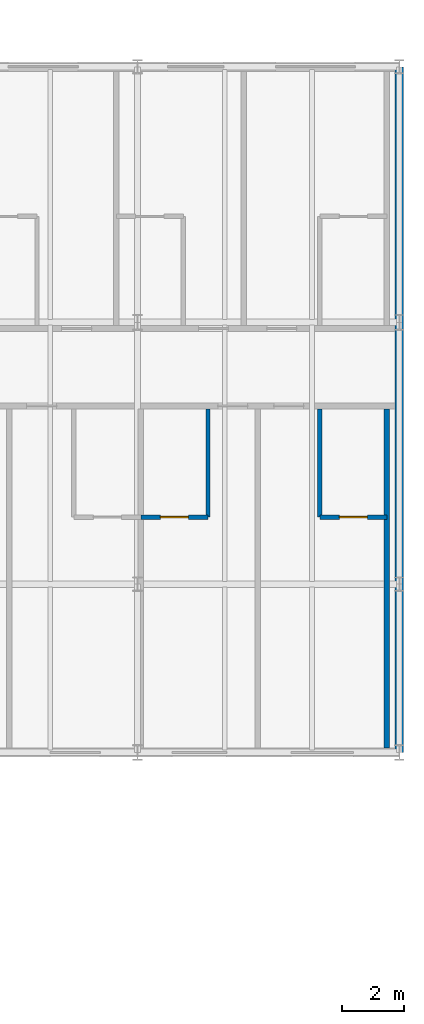
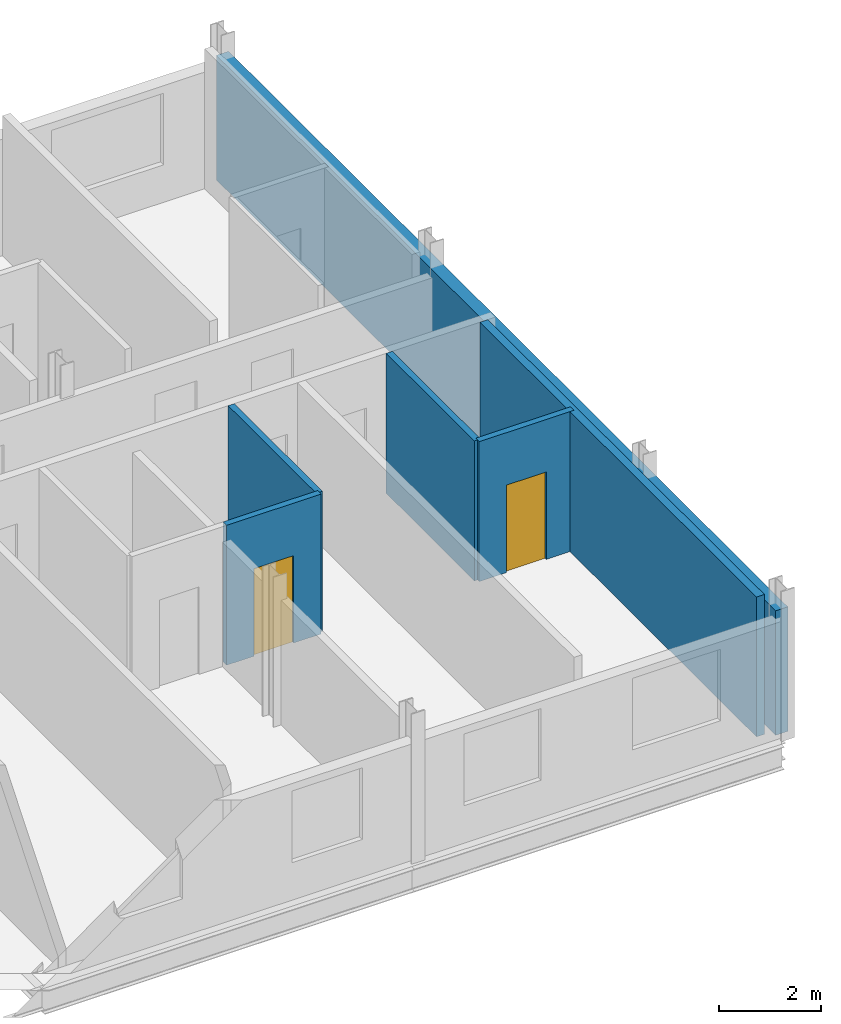
# One storey, part 27 of 36: 6 walls, 2 doors, 2 openings.
"""IFC4 building model written with IfcOpenShell, lengths in metres."""

from ifc_helpers import new_model, si_unit, direction, frame, frame_2d, origin, place, context, subcontext, project, spatial, rectangle, extrude, material, layer, layer_set, type_object, element, fill, save


model = new_model("IFC4")

# Units and contexts
model_context = context("Model", 3, precision=1e-05, world=origin(), true_north=direction((0.0, 1.0)))
body_context = subcontext(model_context, "Body", "Model", "MODEL_VIEW")
ifc_project = project(units=[si_unit("LENGTHUNIT", "METRE"), si_unit("AREAUNIT", "SQUARE_METRE"), si_unit("VOLUMEUNIT", "CUBIC_METRE"), si_unit("PLANEANGLEUNIT", "RADIAN"), si_unit("MASSUNIT", "GRAM", prefix="KILO")], contexts=[model_context])

# Site, building, storey
site_placement = place(None, origin())
site = spatial("IfcSite", under=ifc_project, at=site_placement, CompositionType="ELEMENT")
building_placement = place(site_placement, origin())
building = spatial("IfcBuilding", under=site, at=building_placement, Name="Sefraquen Railside Congress Hotel", CompositionType="ELEMENT")
storey_placement = place(building_placement, frame((0.0, 0.0, 28.199951171875)))
storey = spatial("IfcBuildingStorey", under=building, at=storey_placement, Name="L06", CompositionType="ELEMENT", Elevation=28.199951171875)

# Walls
ifc_material_1 = material(Name="Ochre Rabat calcarenite limestone and Concrete C40/50 backing", Category="masonry")
ifc_layer_1 = layer(ifc_material_1, 0.280029296875)
ifc_layer_set_1 = layer_set([ifc_layer_1], Name="Ochre Rabat calcarenite limestone and Concrete C40/50 backing")
wall_type_1 = type_object("IfcWallType", Name="TW-EW-280", PredefinedType="STANDARD", material=ifc_layer_set_1)
wall_1_placement = place(storey_placement, frame((120.0, 96.0, 0.0), z_axis=(0.0, 0.0, 1.0), x_axis=(0.0, 1.0, 0.0)))
element("IfcWall", 1, at=wall_1_placement, inside=storey, type_object=wall_type_1, Name="Hotel L06 east gable facade wall", PredefinedType="STANDARD", context=body_context, shape_type="SweptSolid", body=[
    extrude(rectangle(XDim=22.0, YDim=0.280029296875, at=frame_2d((11.0, 0.0))), origin(), (0.0, 0.0, 1.0), 2.989990234375),
])
ifc_material_2 = material(Name="Moisture-resistant gypsum board", Category="gypsum")
ifc_layer_2 = layer(ifc_material_2, 0.139892578125)
ifc_layer_set_2 = layer_set([ifc_layer_2], Name="Moisture-resistant gypsum board")
wall_type_2 = type_object("IfcWallType", Name="TW-PW-140", PredefinedType="PARTITIONING", material=ifc_layer_set_2)
wall_2_placement = place(storey_placement, frame((113.860107421875, 103.550048828125, 0.0), z_axis=(0.0, 0.0, 1.0), x_axis=(0.0, 1.0, 0.0)))
element("IfcWall", 2, at=wall_2_placement, inside=storey, type_object=wall_type_2, Name="En-suite bathroom east wall RM-037", PredefinedType="PARTITIONING", context=body_context, shape_type="SweptSolid", body=[
    extrude(rectangle(XDim=3.469970703125, YDim=0.139892578125, at=frame_2d((1.73486328125, 0.0))), origin(), (0.0, 0.0, 1.0), 3.360107421875),
])

# Wall, opening, door
wall_3_placement = place(storey_placement, frame((111.7099609375, 103.550048828125, 0.0), z_axis=(0.0, 0.0, 1.0), x_axis=(1.0, 0.0, 0.0)))
wall_3 = element("IfcWall", 3, at=wall_3_placement, inside=storey, type_object=wall_type_2, Name="En-suite bathroom south wall RM-037", PredefinedType="PARTITIONING", context=body_context, shape_type="SweptSolid", body=[
    extrude(rectangle(XDim=2.150146484375, YDim=0.139892578125, at=frame_2d((1.0751953125, 0.0))), origin(), (0.0, 0.0, 1.0), 3.360107421875),
])
opening_1_placement = place(wall_3_placement, frame((0.625, 0.0, 0.0)))
opening_1 = element("IfcOpeningElement", 4, at=opening_1_placement, cuts=wall_3, Name="Opening ID-02", PredefinedType="OPENING", context=body_context, shape_type="SweptSolid", body=[
    extrude(rectangle(XDim=0.89990234375, YDim=2.10009765625, at=frame_2d((0.449951171875, 1.050048828125))), frame((0.0, 0.079833984375, 0.0), z_axis=(0.0, -1.0, 0.0), x_axis=(1.0, 0.0, 0.0)), (0.0, 0.0, 1.0), 0.159912109375),
])
ifc_material_3 = material(Name="Lacquered cedar joinery", Category="wood")
door_type = type_object("IfcDoorType", Name="TD-ID-02", OperationType="NOTDEFINED", PredefinedType="DOOR", material=ifc_material_3)
door_1_placement = place(opening_1_placement, frame((0.89990234375, 0.0, 0.0), z_axis=(0.0, 0.0, 1.0), x_axis=(-1.0, 0.0, 0.0)))
door_1 = element("IfcDoor", 5, at=door_1_placement, inside=storey, type_object=door_type, Name="En-suite bathroom door RM-037", OperationType="SINGLE_SWING_LEFT", OverallHeight=2.10009765625, OverallWidth=0.89990234375, PredefinedType="DOOR", context=body_context, shape_type="SweptSolid", body=[
    extrude(rectangle(XDim=0.89990234375, YDim=2.10009765625, at=frame_2d((0.449951171875, 1.050048828125))), frame((0.0, 0.02490234375, 0.0), z_axis=(0.0, -1.0, 0.0), x_axis=(1.0, 0.0, 0.0)), (0.0, 0.0, 1.0), 0.050048828125),
])
fill(opening_1, door_1)

# Wall
wall_4_placement = place(storey_placement, frame((117.449951171875, 103.550048828125, 0.0), z_axis=(0.0, 0.0, 1.0), x_axis=(0.0, 1.0, 0.0)))
element("IfcWall", 6, at=wall_4_placement, inside=storey, type_object=wall_type_2, Name="En-suite bathroom west wall RM-038", PredefinedType="PARTITIONING", context=body_context, shape_type="SweptSolid", body=[
    extrude(rectangle(XDim=3.469970703125, YDim=0.139892578125, at=frame_2d((1.73486328125, 0.0))), origin(), (0.0, 0.0, 1.0), 3.360107421875),
])

# Wall, opening, door
wall_5_placement = place(storey_placement, frame((117.449951171875, 103.550048828125, 0.0), z_axis=(0.0, 0.0, 1.0), x_axis=(1.0, 0.0, 0.0)))
wall_5 = element("IfcWall", 7, at=wall_5_placement, inside=storey, type_object=wall_type_2, Name="En-suite bathroom south wall RM-038", PredefinedType="PARTITIONING", context=body_context, shape_type="SweptSolid", body=[
    extrude(rectangle(XDim=2.150146484375, YDim=0.139892578125, at=frame_2d((1.0751953125, 0.0))), origin(), (0.0, 0.0, 1.0), 3.360107421875),
])
opening_2_placement = place(wall_5_placement, frame((0.625, 0.0, 0.0)))
opening_2 = element("IfcOpeningElement", 8, at=opening_2_placement, cuts=wall_5, Name="Opening ID-02", PredefinedType="OPENING", context=body_context, shape_type="SweptSolid", body=[
    extrude(rectangle(XDim=0.89990234375, YDim=2.10009765625, at=frame_2d((0.449951171875, 1.050048828125))), frame((0.0, 0.079833984375, 0.0), z_axis=(0.0, -1.0, 0.0), x_axis=(1.0, 0.0, 0.0)), (0.0, 0.0, 1.0), 0.159912109375),
])
door_2_placement = place(opening_2_placement, frame((0.89990234375, 0.0, 0.0), z_axis=(0.0, 0.0, 1.0), x_axis=(-1.0, 0.0, 0.0)))
door_2 = element("IfcDoor", 9, at=door_2_placement, inside=storey, type_object=door_type, Name="En-suite bathroom door RM-038", OperationType="SINGLE_SWING_LEFT", OverallHeight=2.10009765625, OverallWidth=0.89990234375, PredefinedType="DOOR", context=body_context, shape_type="SweptSolid", body=[
    extrude(rectangle(XDim=0.89990234375, YDim=2.10009765625, at=frame_2d((0.449951171875, 1.050048828125))), frame((0.0, 0.02490234375, 0.0), z_axis=(0.0, -1.0, 0.0), x_axis=(1.0, 0.0, 0.0)), (0.0, 0.0, 1.0), 0.050048828125),
])
fill(opening_2, door_2)

# Wall
ifc_material_4 = material(Name="Acoustic gypsum board on metal stud", Category="gypsum")
ifc_layer_3 = layer(ifc_material_4, 0.179931640625)
ifc_layer_set_3 = layer_set([ifc_layer_3], Name="Acoustic gypsum board on metal stud")
wall_type_3 = type_object("IfcWallType", Name="TW-PW-180", PredefinedType="PARTITIONING", material=ifc_layer_set_3)
wall_6_placement = place(storey_placement, frame((119.60009765625, 96.139892578125, 0.0), z_axis=(0.0, 0.0, 1.0), x_axis=(0.0, 1.0, 0.0)))
element("IfcWall", 10, at=wall_6_placement, inside=storey, type_object=wall_type_3, Name="South guest room demising wall RM-038", PredefinedType="PARTITIONING", context=body_context, shape_type="SweptSolid", body=[
    extrude(rectangle(XDim=10.880126953125, YDim=0.179931640625, at=frame_2d((5.43994140625, 0.0))), origin(), (0.0, 0.0, 1.0), 3.360107421875),
])

save(model, "model.ifc")
